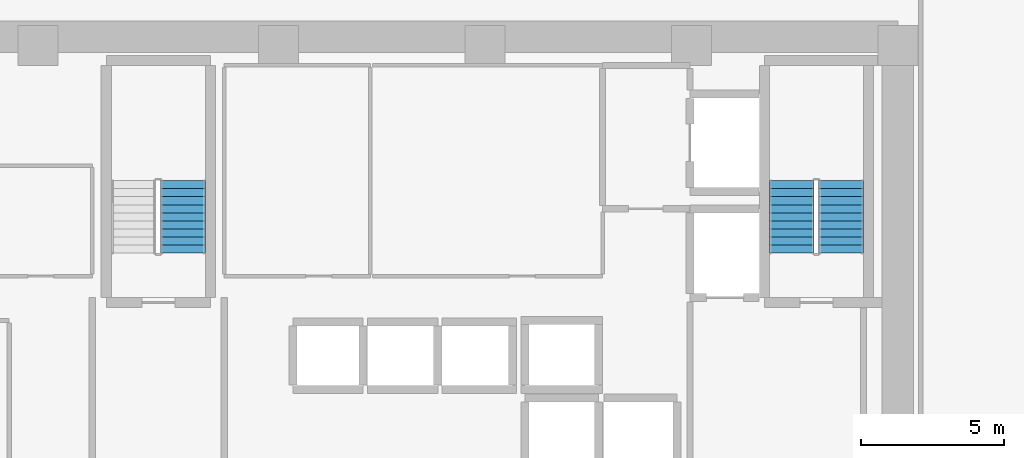
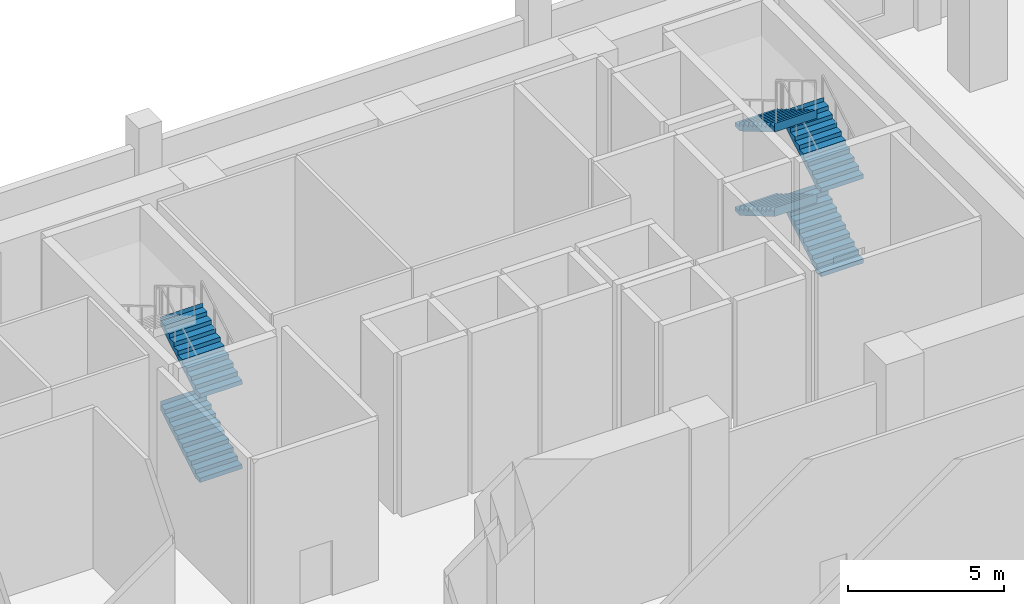
# One storey, part 26 of 29: 6 stair flights, 2 elements without a shape of their own.
"""IFC4 building model written with IfcOpenShell, lengths in metres."""

from ifc_helpers import new_model, si_unit, direction, frame, origin, place, context, subcontext, project, spatial, polyline, outline, extrude, material, type_object, element, aggregate, save


model = new_model("IFC4")

# Units and contexts
model_context = context("Model", 3, precision=1e-05, world=origin(), true_north=direction((0.0, 1.0)))
body_context = subcontext(model_context, "Body", "Model", "MODEL_VIEW")
ifc_project = project(units=[si_unit("LENGTHUNIT", "METRE"), si_unit("AREAUNIT", "SQUARE_METRE"), si_unit("VOLUMEUNIT", "CUBIC_METRE"), si_unit("PLANEANGLEUNIT", "RADIAN"), si_unit("MASSUNIT", "GRAM", prefix="KILO")], contexts=[model_context])

# Site, building, storey
site_placement = place(None, origin())
site = spatial("IfcSite", under=ifc_project, at=site_placement, CompositionType="ELEMENT")
building_placement = place(site_placement, origin())
building = spatial("IfcBuilding", under=site, at=building_placement, Name="Kaelvorn Grand Hotel", CompositionType="ELEMENT")
storey_placement = place(building_placement, frame((0.0, 0.0, 19.39990234375)))
storey = spatial("IfcBuildingStorey", under=building, at=storey_placement, Name="L03", CompositionType="ELEMENT", Elevation=19.39990234375)

# Stair, stair flights
ifc_material = material(Name="Concrete C40/50", Category="concrete")
stair_type = type_object("IfcStairType", Name="STR-DOG-1560-R05", PredefinedType="HALF_TURN_STAIR", material=ifc_material)
stair_1_placement = place(storey_placement, origin())
stair_1 = element("IfcStair", 1, at=stair_1_placement, inside=storey, type_object=stair_type, Name="L03 Central Core Exit Stair ST2", PredefinedType="HALF_TURN_STAIR")
stair_flight_type = type_object("IfcStairFlightType", Name="FLG-DOG-1560-R05", PredefinedType="STRAIGHT", material=ifc_material)
stair_flight_1_placement = place(storey_placement, frame((42.860107421875, 41.760009765625, 0.0), z_axis=(0.0, 0.0, 1.0), x_axis=(0.0, 1.0, 0.0)))
stair_flight_1 = element("IfcStairFlight", 2, at=stair_flight_1_placement, type_object=stair_flight_type, Name="ST2 flight 1", NumberOfRisers=10, NumberOfTreads=9, PredefinedType="STRAIGHT", RiserHeight=0.165, TreadLength=0.28, context=body_context, shape_type="SweptSolid", body=[
    extrude(outline(polyline([(-0.0048828125, 0.0), (-0.0048828125, 0.0400390625), (0.0, 0.1650390625), (0.280029296875, 0.1650390625), (0.280029296875, 0.330078125), (0.56005859375, 0.330078125), (0.56005859375, 0.4951171875), (0.840087890625, 0.4951171875), (0.840087890625, 0.659912109375), (1.1201171875, 0.659912109375), (1.1201171875, 0.824951171875), (1.39990234375, 0.824951171875), (1.39990234375, 0.989990234375), (1.679931640625, 0.989990234375), (1.679931640625, 1.155029296875), (1.9599609375, 1.155029296875), (1.9599609375, 1.320068359375), (2.239990234375, 1.320068359375), (2.239990234375, 1.485107421875), (2.52001953125, 1.485107421875), (2.52001953125, 1.64990234375), (2.52490234375, 1.64990234375), (2.52490234375, 1.31103515625), (0.295166015625, 0.0), (-0.0048828125, 0.0)])), frame((0.0, 0.780029296875, 0.0), z_axis=(0.0, -1.0, 0.0), x_axis=(1.0, 0.0, 0.0)), (0.0, 0.0, 1.0), 1.56005859375),
])
stair_flight_2_placement = place(storey_placement, frame((42.860107421875, 41.760009765625, 3.300048828125), z_axis=(0.0, 0.0, 1.0), x_axis=(0.0, 1.0, 0.0)))
stair_flight_2 = element("IfcStairFlight", 3, at=stair_flight_2_placement, type_object=stair_flight_type, Name="ST2 flight 3", NumberOfRisers=10, NumberOfTreads=9, PredefinedType="STRAIGHT", RiserHeight=0.165, TreadLength=0.28, context=body_context, shape_type="SweptSolid", body=[
    extrude(outline(polyline([(-0.0048828125, 0.0), (-0.0048828125, 0.0400390625), (0.0, 0.1650390625), (0.280029296875, 0.1650390625), (0.280029296875, 0.330078125), (0.56005859375, 0.330078125), (0.56005859375, 0.4951171875), (0.840087890625, 0.4951171875), (0.840087890625, 0.659912109375), (1.1201171875, 0.659912109375), (1.1201171875, 0.824951171875), (1.39990234375, 0.824951171875), (1.39990234375, 0.989990234375), (1.679931640625, 0.989990234375), (1.679931640625, 1.155029296875), (1.9599609375, 1.155029296875), (1.9599609375, 1.320068359375), (2.239990234375, 1.320068359375), (2.239990234375, 1.485107421875), (2.52001953125, 1.485107421875), (2.52001953125, 1.64990234375), (2.52490234375, 1.64990234375), (2.52490234375, 1.31103515625), (0.295166015625, 0.0), (-0.0048828125, 0.0)])), frame((0.0, 0.780029296875, 0.0), z_axis=(0.0, -1.0, 0.0), x_axis=(1.0, 0.0, 0.0)), (0.0, 0.0, 1.0), 1.56005859375),
])
aggregate(stair_1, [stair_flight_1, stair_flight_2])

stair_2_placement = place(storey_placement, origin())
stair_2 = element("IfcStair", 4, at=stair_2_placement, inside=storey, type_object=stair_type, Name="L03 East Core Exit Stair ST3", PredefinedType="HALF_TURN_STAIR")
stair_flight_3_placement = place(storey_placement, frame((65.820068359375, 41.760009765625, 0.0), z_axis=(0.0, 0.0, 1.0), x_axis=(0.0, 1.0, 0.0)))
stair_flight_3 = element("IfcStairFlight", 5, at=stair_flight_3_placement, type_object=stair_flight_type, Name="ST3 flight 1", NumberOfRisers=10, NumberOfTreads=9, PredefinedType="STRAIGHT", RiserHeight=0.165, TreadLength=0.28, context=body_context, shape_type="SweptSolid", body=[
    extrude(outline(polyline([(-0.0048828125, 0.0), (-0.0048828125, 0.0400390625), (0.0, 0.1650390625), (0.280029296875, 0.1650390625), (0.280029296875, 0.330078125), (0.56005859375, 0.330078125), (0.56005859375, 0.4951171875), (0.840087890625, 0.4951171875), (0.840087890625, 0.659912109375), (1.1201171875, 0.659912109375), (1.1201171875, 0.824951171875), (1.39990234375, 0.824951171875), (1.39990234375, 0.989990234375), (1.679931640625, 0.989990234375), (1.679931640625, 1.155029296875), (1.9599609375, 1.155029296875), (1.9599609375, 1.320068359375), (2.239990234375, 1.320068359375), (2.239990234375, 1.485107421875), (2.52001953125, 1.485107421875), (2.52001953125, 1.64990234375), (2.52490234375, 1.64990234375), (2.52490234375, 1.31103515625), (0.295166015625, 0.0), (-0.0048828125, 0.0)])), frame((0.0, 0.780029296875, 0.0), z_axis=(0.0, -1.0, 0.0), x_axis=(1.0, 0.0, 0.0)), (0.0, 0.0, 1.0), 1.56005859375),
])
stair_flight_4_placement = place(storey_placement, frame((64.10009765625, 44.280029296875, 1.650146484375), z_axis=(0.0, 0.0, 1.0), x_axis=(0.0, -1.0, 0.0)))
stair_flight_4 = element("IfcStairFlight", 6, at=stair_flight_4_placement, type_object=stair_flight_type, Name="ST3 flight 2", NumberOfRisers=10, NumberOfTreads=9, PredefinedType="STRAIGHT", RiserHeight=0.165, TreadLength=0.28, context=body_context, shape_type="SweptSolid", body=[
    extrude(outline(polyline([(-0.0048828125, 0.0), (-0.0048828125, 0.0400390625), (0.0, 0.1650390625), (0.280029296875, 0.1650390625), (0.280029296875, 0.330078125), (0.56005859375, 0.330078125), (0.56005859375, 0.4951171875), (0.840087890625, 0.4951171875), (0.840087890625, 0.659912109375), (1.1201171875, 0.659912109375), (1.1201171875, 0.824951171875), (1.39990234375, 0.824951171875), (1.39990234375, 0.989990234375), (1.679931640625, 0.989990234375), (1.679931640625, 1.155029296875), (1.9599609375, 1.155029296875), (1.9599609375, 1.320068359375), (2.239990234375, 1.320068359375), (2.239990234375, 1.485107421875), (2.52001953125, 1.485107421875), (2.52001953125, 1.64990234375), (2.52490234375, 1.64990234375), (2.52490234375, 1.31103515625), (0.295166015625, 0.0), (-0.0048828125, 0.0)])), frame((0.0, 0.780029296875, 0.0), z_axis=(0.0, -1.0, 0.0), x_axis=(1.0, 0.0, 0.0)), (0.0, 0.0, 1.0), 1.56005859375),
])
stair_flight_5_placement = place(storey_placement, frame((65.820068359375, 41.760009765625, 3.300048828125), z_axis=(0.0, 0.0, 1.0), x_axis=(0.0, 1.0, 0.0)))
stair_flight_5 = element("IfcStairFlight", 7, at=stair_flight_5_placement, type_object=stair_flight_type, Name="ST3 flight 3", NumberOfRisers=10, NumberOfTreads=9, PredefinedType="STRAIGHT", RiserHeight=0.165, TreadLength=0.28, context=body_context, shape_type="SweptSolid", body=[
    extrude(outline(polyline([(-0.0048828125, 0.0), (-0.0048828125, 0.0400390625), (0.0, 0.1650390625), (0.280029296875, 0.1650390625), (0.280029296875, 0.330078125), (0.56005859375, 0.330078125), (0.56005859375, 0.4951171875), (0.840087890625, 0.4951171875), (0.840087890625, 0.659912109375), (1.1201171875, 0.659912109375), (1.1201171875, 0.824951171875), (1.39990234375, 0.824951171875), (1.39990234375, 0.989990234375), (1.679931640625, 0.989990234375), (1.679931640625, 1.155029296875), (1.9599609375, 1.155029296875), (1.9599609375, 1.320068359375), (2.239990234375, 1.320068359375), (2.239990234375, 1.485107421875), (2.52001953125, 1.485107421875), (2.52001953125, 1.64990234375), (2.52490234375, 1.64990234375), (2.52490234375, 1.31103515625), (0.295166015625, 0.0), (-0.0048828125, 0.0)])), frame((0.0, 0.780029296875, 0.0), z_axis=(0.0, -1.0, 0.0), x_axis=(1.0, 0.0, 0.0)), (0.0, 0.0, 1.0), 1.56005859375),
])
stair_flight_6_placement = place(storey_placement, frame((64.10009765625, 44.280029296875, 4.9501953125), z_axis=(0.0, 0.0, 1.0), x_axis=(0.0, -1.0, 0.0)))
stair_flight_6 = element("IfcStairFlight", 8, at=stair_flight_6_placement, type_object=stair_flight_type, Name="ST3 flight 4", NumberOfRisers=10, NumberOfTreads=9, PredefinedType="STRAIGHT", RiserHeight=0.165, TreadLength=0.28, context=body_context, shape_type="SweptSolid", body=[
    extrude(outline(polyline([(-0.0048828125, 0.0), (-0.0048828125, 0.0400390625), (0.0, 0.1650390625), (0.280029296875, 0.1650390625), (0.280029296875, 0.330078125), (0.56005859375, 0.330078125), (0.56005859375, 0.4951171875), (0.840087890625, 0.4951171875), (0.840087890625, 0.659912109375), (1.1201171875, 0.659912109375), (1.1201171875, 0.824951171875), (1.39990234375, 0.824951171875), (1.39990234375, 0.989990234375), (1.679931640625, 0.989990234375), (1.679931640625, 1.155029296875), (1.9599609375, 1.155029296875), (1.9599609375, 1.320068359375), (2.239990234375, 1.320068359375), (2.239990234375, 1.485107421875), (2.52001953125, 1.485107421875), (2.52001953125, 1.64990234375), (2.52490234375, 1.64990234375), (2.52490234375, 1.31103515625), (0.295166015625, 0.0), (-0.0048828125, 0.0)])), frame((0.0, 0.780029296875, 0.0), z_axis=(0.0, -1.0, 0.0), x_axis=(1.0, 0.0, 0.0)), (0.0, 0.0, 1.0), 1.56005859375),
])
aggregate(stair_2, [stair_flight_3, stair_flight_4, stair_flight_5, stair_flight_6])

save(model, "model.ifc")
